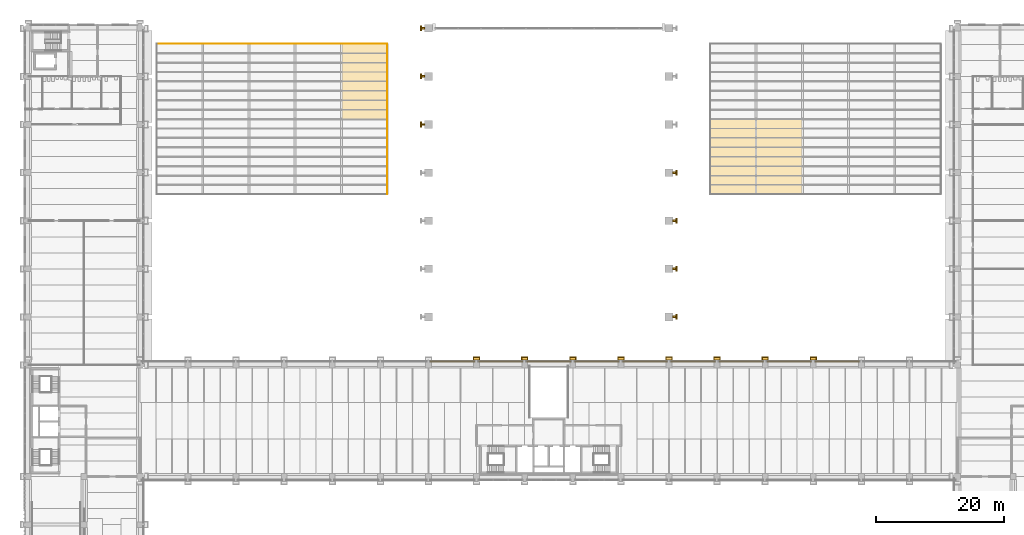
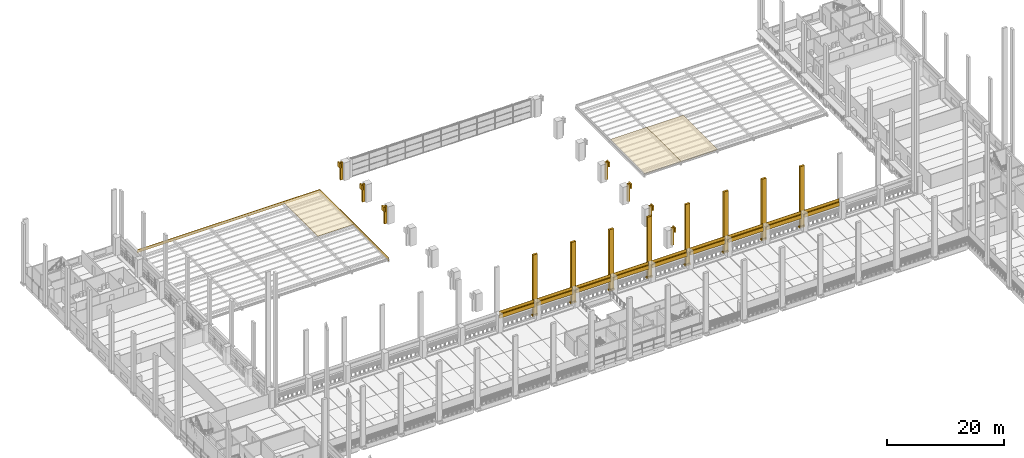
# One storey, part 54 of 67: 52 coverings, 2 elements without a shape of their own.
"""IFC4 building model written with IfcOpenShell, lengths in metres."""

from ifc_helpers import new_model, si_unit, direction, frame, origin, place, context, subcontext, project, spatial, polyline, outline, extrude, material, layer, layer_set, type_object, element, aggregate, save


model = new_model("IFC4")

# Units and contexts
model_context = context("Model", 3, precision=1e-05, world=origin(), true_north=direction((0.0, 1.0)))
body_context = subcontext(model_context, "Body", "Model", "MODEL_VIEW")
ifc_project = project(units=[si_unit("LENGTHUNIT", "METRE"), si_unit("AREAUNIT", "SQUARE_METRE"), si_unit("VOLUMEUNIT", "CUBIC_METRE"), si_unit("PLANEANGLEUNIT", "RADIAN"), si_unit("MASSUNIT", "GRAM", prefix="KILO")], contexts=[model_context])

# Site, building, storey
site_placement = place(None, origin())
site = spatial("IfcSite", under=ifc_project, at=site_placement, CompositionType="ELEMENT")
building_placement = place(site_placement, origin())
building = spatial("IfcBuilding", under=site, at=building_placement, Name="Cour d'Honneur Mobility Palace", CompositionType="ELEMENT")
storey_placement = place(building_placement, frame((0.0, 0.0, 4.5)))
storey = spatial("IfcBuildingStorey", under=building, at=storey_placement, Name="L01", CompositionType="ELEMENT", Elevation=4.5)

# Roof, coverings
ifc_material_1 = material(Name="Zinc standing seam")
ifc_layer_1 = layer(ifc_material_1, 0.050048828125)
ifc_layer_set_1 = layer_set([ifc_layer_1], Name="Zinc standing seam")
roof_type = type_object("IfcRoofType", Name="Forecourt canopy", PredefinedType="FLAT_ROOF", material=ifc_layer_set_1)
roof_1_placement = place(storey_placement, origin())
roof_1 = element("IfcRoof", 1, at=roof_1_placement, inside=storey, type_object=roof_type, Name="Forecourt canopy roof W", PredefinedType="FLAT_ROOF")
ifc_material_2 = material(Name="Cast limestone", Category="masonry")
ifc_layer_2 = layer(ifc_material_2, 0.0400390625)
ifc_layer_set_2 = layer_set([ifc_layer_2], Name="Cast limestone")
covering_type_1 = type_object("IfcCoveringType", Name="Canopy fascia", PredefinedType="CLADDING", material=ifc_layer_set_2)
covering_1_placement = place(storey_placement, frame((56.0, 89.0, 0.800048828125), z_axis=(1.0, 0.0, 0.0), x_axis=(0.0, 1.0, 0.0)))
covering_1 = element("IfcCovering", 2, at=covering_1_placement, type_object=covering_type_1, Name="Canopy fascia FCF-W2", PredefinedType="CLADDING", context=body_context, shape_type="SweptSolid", body=[
    extrude(outline(polyline([(0.0, 0.0), (23.5, 0.0), (23.5, 0.64990234375), (0.0, 0.64990234375), (0.0, 0.0)])), origin(), (0.0, 0.0, -1.0), 0.0400390625),
])
covering_2_placement = place(storey_placement, frame((56.0, 112.5, 0.800048828125), z_axis=(0.0, 1.0, 0.0), x_axis=(-1.0, 0.0, 0.0)))
covering_2 = element("IfcCovering", 3, at=covering_2_placement, type_object=covering_type_1, Name="Canopy fascia FCF-W3", PredefinedType="CLADDING", context=body_context, shape_type="SweptSolid", body=[
    extrude(outline(polyline([(0.0, 0.0), (36.0, 0.0), (36.0, 0.64990234375), (0.0, 0.64990234375), (0.0, 0.0)])), origin(), (0.0, 0.0, -1.0), 0.0400390625),
])
ifc_material_3 = material(Name="Zinc standing seam")
ifc_layer_3 = layer(ifc_material_3, 0.050048828125)
ifc_layer_set_3 = layer_set([ifc_layer_3], Name="Zinc standing seam")
covering_type_2 = type_object("IfcCoveringType", Name="Canopy roof panel", PredefinedType="ROOFING", material=ifc_layer_set_3)
covering_3_placement = place(storey_placement, frame((48.800048828125, 100.75, 1.300048828125), z_axis=(0.0, 0.0, 1.0), x_axis=(1.0, 0.0, 0.0)))
covering_3 = element("IfcCovering", 4, at=covering_3_placement, type_object=covering_type_2, Name="Canopy roof panel FCS-W10", PredefinedType="ROOFING", context=body_context, shape_type="SweptSolid", body=[
    extrude(outline(polyline([(0.0, 0.0), (7.199951171875, 0.0), (7.199951171875, 11.75), (0.0, 11.75), (0.0, 0.0)])), origin(), (0.0, 0.0, -1.0), 0.050048828125),
])
aggregate(roof_1, [covering_3, covering_1, covering_2])

roof_2_placement = place(storey_placement, origin())
roof_2 = element("IfcRoof", 5, at=roof_2_placement, inside=storey, type_object=roof_type, Name="Forecourt canopy roof E", PredefinedType="FLAT_ROOF")
covering_4_placement = place(storey_placement, frame((106.300048828125, 89.0, 1.300048828125), z_axis=(0.0, 0.0, 1.0), x_axis=(1.0, 0.0, 0.0)))
covering_4 = element("IfcCovering", 6, at=covering_4_placement, type_object=covering_type_2, Name="Canopy roof panel FCS-E1", PredefinedType="ROOFING", context=body_context, shape_type="SweptSolid", body=[
    extrude(outline(polyline([(0.0, 0.0), (7.199951171875, 0.0), (7.199951171875, 11.75), (0.0, 11.75), (0.0, 0.0)])), origin(), (0.0, 0.0, -1.0), 0.050048828125),
])
covering_5_placement = place(storey_placement, frame((113.5, 89.0, 1.300048828125), z_axis=(0.0, 0.0, 1.0), x_axis=(1.0, 0.0, 0.0)))
covering_5 = element("IfcCovering", 7, at=covering_5_placement, type_object=covering_type_2, Name="Canopy roof panel FCS-E3", PredefinedType="ROOFING", context=body_context, shape_type="SweptSolid", body=[
    extrude(outline(polyline([(0.0, 0.0), (7.199951171875, 0.0), (7.199951171875, 11.75), (0.0, 11.75), (0.0, 0.0)])), origin(), (0.0, 0.0, -1.0), 0.050048828125),
])
aggregate(roof_2, [covering_4, covering_5])

# Coverings
ifc_material_4 = material(Name="Cast limestone", Category="masonry")
ifc_layer_4 = layer(ifc_material_4, 0.300048828125)
ifc_layer_set_4 = layer_set([ifc_layer_4], Name="Cast limestone")
covering_type_3 = type_object("IfcCoveringType", Name="Pier fin", PredefinedType="CLADDING", material=ifc_layer_set_4)
covering_6_placement = place(storey_placement, origin())
element("IfcCovering", 8, at=covering_6_placement, inside=storey, type_object=covering_type_3, Name="Pier fin HP-E2 L01", PredefinedType="CLADDING", context=body_context, shape_type="SweptSolid", body=[
    extrude(outline(polyline([(100.5, 69.75), (100.949951171875, 69.75), (100.949951171875, 70.050048828125), (100.5, 70.050048828125), (100.5, 69.75)])), origin(), (0.0, 0.0, 1.0), 3.699951171875),
])
covering_7_placement = place(storey_placement, origin())
element("IfcCovering", 9, at=covering_7_placement, inside=storey, type_object=covering_type_3, Name="Pier fin HP-E3 L01", PredefinedType="CLADDING", context=body_context, shape_type="SweptSolid", body=[
    extrude(outline(polyline([(100.5, 77.25), (100.949951171875, 77.25), (100.949951171875, 77.550048828125), (100.5, 77.550048828125), (100.5, 77.25)])), origin(), (0.0, 0.0, 1.0), 3.699951171875),
])
covering_8_placement = place(storey_placement, origin())
element("IfcCovering", 10, at=covering_8_placement, inside=storey, type_object=covering_type_3, Name="Pier fin HP-E4 L01", PredefinedType="CLADDING", context=body_context, shape_type="SweptSolid", body=[
    extrude(outline(polyline([(100.5, 84.75), (100.949951171875, 84.75), (100.949951171875, 85.050048828125), (100.5, 85.050048828125), (100.5, 84.75)])), origin(), (0.0, 0.0, 1.0), 3.699951171875),
])
covering_9_placement = place(storey_placement, origin())
element("IfcCovering", 11, at=covering_9_placement, inside=storey, type_object=covering_type_3, Name="Pier fin HP-E5 L01", PredefinedType="CLADDING", context=body_context, shape_type="SweptSolid", body=[
    extrude(outline(polyline([(100.5, 92.25), (100.949951171875, 92.25), (100.949951171875, 92.550048828125), (100.5, 92.550048828125), (100.5, 92.25)])), origin(), (0.0, 0.0, 1.0), 3.699951171875),
])
covering_10_placement = place(storey_placement, origin())
element("IfcCovering", 12, at=covering_10_placement, inside=storey, type_object=covering_type_3, Name="Pier fin HP-W6 L01", PredefinedType="CLADDING", context=body_context, shape_type="SweptSolid", body=[
    extrude(outline(polyline([(61.35009765625, 99.75), (61.800048828125, 99.75), (61.800048828125, 100.050048828125), (61.35009765625, 100.050048828125), (61.35009765625, 99.75)])), origin(), (0.0, 0.0, 1.0), 3.699951171875),
])
covering_11_placement = place(storey_placement, origin())
element("IfcCovering", 13, at=covering_11_placement, inside=storey, type_object=covering_type_3, Name="Pier fin HP-W7 L01", PredefinedType="CLADDING", context=body_context, shape_type="SweptSolid", body=[
    extrude(outline(polyline([(61.35009765625, 107.25), (61.800048828125, 107.25), (61.800048828125, 107.550048828125), (61.35009765625, 107.550048828125), (61.35009765625, 107.25)])), origin(), (0.0, 0.0, 1.0), 3.699951171875),
])
covering_12_placement = place(storey_placement, origin())
element("IfcCovering", 14, at=covering_12_placement, inside=storey, type_object=covering_type_3, Name="Pier fin HP-W8 L01", PredefinedType="CLADDING", context=body_context, shape_type="SweptSolid", body=[
    extrude(outline(polyline([(61.35009765625, 114.75), (61.800048828125, 114.75), (61.800048828125, 115.050048828125), (61.35009765625, 115.050048828125), (61.35009765625, 114.75)])), origin(), (0.0, 0.0, 1.0), 3.699951171875),
])
ifc_material_5 = material(Name="Cast limestone", Category="masonry")
ifc_layer_5 = layer(ifc_material_5, 0.14990234375)
ifc_layer_set_5 = layer_set([ifc_layer_5], Name="Cast limestone")
covering_type_4 = type_object("IfcCoveringType", Name="Pilaster base", PredefinedType="CLADDING", material=ifc_layer_set_5)
covering_13_placement = place(storey_placement, frame((0.0, 0.0, 0.10009765625)))
element("IfcCovering", 15, at=covering_13_placement, inside=storey, type_object=covering_type_4, Name="Pilaster base PB-129", PredefinedType="CLADDING", context=body_context, shape_type="SweptSolid", body=[
    extrude(outline(polyline([(122.949951171875, 63.14990234375), (121.85009765625, 63.14990234375), (121.85009765625, 63.699951171875), (122.949951171875, 63.699951171875), (122.949951171875, 63.14990234375)])), origin(), (0.0, 0.0, 1.0), 0.2998046875),
])
covering_14_placement = place(storey_placement, frame((0.0, 0.0, 0.39990234375)))
element("IfcCovering", 16, at=covering_14_placement, inside=storey, type_object=covering_type_4, Name="Pilaster base PB-130", PredefinedType="CLADDING", context=body_context, shape_type="SweptSolid", body=[
    extrude(outline(polyline([(122.89990234375, 63.14990234375), (121.89990234375, 63.14990234375), (121.89990234375, 63.6201171875), (122.89990234375, 63.6201171875), (122.89990234375, 63.14990234375)])), origin(), (0.0, 0.0, 1.0), 0.150146484375),
])
covering_15_placement = place(storey_placement, frame((0.0, 0.0, 0.10009765625)))
element("IfcCovering", 17, at=covering_15_placement, inside=storey, type_object=covering_type_4, Name="Pilaster base PB-131", PredefinedType="CLADDING", context=body_context, shape_type="SweptSolid", body=[
    extrude(outline(polyline([(115.449951171875, 63.14990234375), (114.35009765625, 63.14990234375), (114.35009765625, 63.699951171875), (115.449951171875, 63.699951171875), (115.449951171875, 63.14990234375)])), origin(), (0.0, 0.0, 1.0), 0.2998046875),
])
covering_16_placement = place(storey_placement, frame((0.0, 0.0, 0.39990234375)))
element("IfcCovering", 18, at=covering_16_placement, inside=storey, type_object=covering_type_4, Name="Pilaster base PB-132", PredefinedType="CLADDING", context=body_context, shape_type="SweptSolid", body=[
    extrude(outline(polyline([(115.39990234375, 63.14990234375), (114.39990234375, 63.14990234375), (114.39990234375, 63.6201171875), (115.39990234375, 63.6201171875), (115.39990234375, 63.14990234375)])), origin(), (0.0, 0.0, 1.0), 0.150146484375),
])
covering_17_placement = place(storey_placement, frame((0.0, 0.0, 0.10009765625)))
element("IfcCovering", 19, at=covering_17_placement, inside=storey, type_object=covering_type_4, Name="Pilaster base PB-133", PredefinedType="CLADDING", context=body_context, shape_type="SweptSolid", body=[
    extrude(outline(polyline([(107.949951171875, 63.14990234375), (106.85009765625, 63.14990234375), (106.85009765625, 63.699951171875), (107.949951171875, 63.699951171875), (107.949951171875, 63.14990234375)])), origin(), (0.0, 0.0, 1.0), 0.2998046875),
])
covering_18_placement = place(storey_placement, frame((0.0, 0.0, 0.39990234375)))
element("IfcCovering", 20, at=covering_18_placement, inside=storey, type_object=covering_type_4, Name="Pilaster base PB-134", PredefinedType="CLADDING", context=body_context, shape_type="SweptSolid", body=[
    extrude(outline(polyline([(107.89990234375, 63.14990234375), (106.89990234375, 63.14990234375), (106.89990234375, 63.6201171875), (107.89990234375, 63.6201171875), (107.89990234375, 63.14990234375)])), origin(), (0.0, 0.0, 1.0), 0.150146484375),
])
covering_19_placement = place(storey_placement, frame((0.0, 0.0, 0.10009765625)))
element("IfcCovering", 21, at=covering_19_placement, inside=storey, type_object=covering_type_4, Name="Pilaster base PB-135", PredefinedType="CLADDING", context=body_context, shape_type="SweptSolid", body=[
    extrude(outline(polyline([(100.449951171875, 63.14990234375), (99.35009765625, 63.14990234375), (99.35009765625, 63.699951171875), (100.449951171875, 63.699951171875), (100.449951171875, 63.14990234375)])), origin(), (0.0, 0.0, 1.0), 0.2998046875),
])
covering_20_placement = place(storey_placement, frame((0.0, 0.0, 0.39990234375)))
element("IfcCovering", 22, at=covering_20_placement, inside=storey, type_object=covering_type_4, Name="Pilaster base PB-136", PredefinedType="CLADDING", context=body_context, shape_type="SweptSolid", body=[
    extrude(outline(polyline([(100.39990234375, 63.14990234375), (99.39990234375, 63.14990234375), (99.39990234375, 63.6201171875), (100.39990234375, 63.6201171875), (100.39990234375, 63.14990234375)])), origin(), (0.0, 0.0, 1.0), 0.150146484375),
])
covering_21_placement = place(storey_placement, frame((0.0, 0.0, 0.10009765625)))
element("IfcCovering", 23, at=covering_21_placement, inside=storey, type_object=covering_type_4, Name="Pilaster base PB-137", PredefinedType="CLADDING", context=body_context, shape_type="SweptSolid", body=[
    extrude(outline(polyline([(92.949951171875, 63.14990234375), (91.85009765625, 63.14990234375), (91.85009765625, 63.699951171875), (92.949951171875, 63.699951171875), (92.949951171875, 63.14990234375)])), origin(), (0.0, 0.0, 1.0), 0.2998046875),
])
covering_22_placement = place(storey_placement, frame((0.0, 0.0, 0.39990234375)))
element("IfcCovering", 24, at=covering_22_placement, inside=storey, type_object=covering_type_4, Name="Pilaster base PB-138", PredefinedType="CLADDING", context=body_context, shape_type="SweptSolid", body=[
    extrude(outline(polyline([(92.89990234375, 63.14990234375), (91.89990234375, 63.14990234375), (91.89990234375, 63.6201171875), (92.89990234375, 63.6201171875), (92.89990234375, 63.14990234375)])), origin(), (0.0, 0.0, 1.0), 0.150146484375),
])
covering_23_placement = place(storey_placement, frame((0.0, 0.0, 0.10009765625)))
element("IfcCovering", 25, at=covering_23_placement, inside=storey, type_object=covering_type_4, Name="Pilaster base PB-139", PredefinedType="CLADDING", context=body_context, shape_type="SweptSolid", body=[
    extrude(outline(polyline([(85.449951171875, 63.14990234375), (84.35009765625, 63.14990234375), (84.35009765625, 63.699951171875), (85.449951171875, 63.699951171875), (85.449951171875, 63.14990234375)])), origin(), (0.0, 0.0, 1.0), 0.2998046875),
])
covering_24_placement = place(storey_placement, frame((0.0, 0.0, 0.39990234375)))
element("IfcCovering", 26, at=covering_24_placement, inside=storey, type_object=covering_type_4, Name="Pilaster base PB-140", PredefinedType="CLADDING", context=body_context, shape_type="SweptSolid", body=[
    extrude(outline(polyline([(85.39990234375, 63.14990234375), (84.39990234375, 63.14990234375), (84.39990234375, 63.6201171875), (85.39990234375, 63.6201171875), (85.39990234375, 63.14990234375)])), origin(), (0.0, 0.0, 1.0), 0.150146484375),
])
covering_25_placement = place(storey_placement, frame((0.0, 0.0, 0.10009765625)))
element("IfcCovering", 27, at=covering_25_placement, inside=storey, type_object=covering_type_4, Name="Pilaster base PB-141", PredefinedType="CLADDING", context=body_context, shape_type="SweptSolid", body=[
    extrude(outline(polyline([(77.949951171875, 63.14990234375), (76.85009765625, 63.14990234375), (76.85009765625, 63.699951171875), (77.949951171875, 63.699951171875), (77.949951171875, 63.14990234375)])), origin(), (0.0, 0.0, 1.0), 0.2998046875),
])
covering_26_placement = place(storey_placement, frame((0.0, 0.0, 0.39990234375)))
element("IfcCovering", 28, at=covering_26_placement, inside=storey, type_object=covering_type_4, Name="Pilaster base PB-142", PredefinedType="CLADDING", context=body_context, shape_type="SweptSolid", body=[
    extrude(outline(polyline([(77.89990234375, 63.14990234375), (76.89990234375, 63.14990234375), (76.89990234375, 63.6201171875), (77.89990234375, 63.6201171875), (77.89990234375, 63.14990234375)])), origin(), (0.0, 0.0, 1.0), 0.150146484375),
])
covering_27_placement = place(storey_placement, frame((0.0, 0.0, 0.10009765625)))
element("IfcCovering", 29, at=covering_27_placement, inside=storey, type_object=covering_type_4, Name="Pilaster base PB-143", PredefinedType="CLADDING", context=body_context, shape_type="SweptSolid", body=[
    extrude(outline(polyline([(70.449951171875, 63.14990234375), (69.35009765625, 63.14990234375), (69.35009765625, 63.699951171875), (70.449951171875, 63.699951171875), (70.449951171875, 63.14990234375)])), origin(), (0.0, 0.0, 1.0), 0.2998046875),
])
covering_28_placement = place(storey_placement, frame((0.0, 0.0, 0.39990234375)))
element("IfcCovering", 30, at=covering_28_placement, inside=storey, type_object=covering_type_4, Name="Pilaster base PB-144", PredefinedType="CLADDING", context=body_context, shape_type="SweptSolid", body=[
    extrude(outline(polyline([(70.39990234375, 63.14990234375), (69.39990234375, 63.14990234375), (69.39990234375, 63.6201171875), (70.39990234375, 63.6201171875), (70.39990234375, 63.14990234375)])), origin(), (0.0, 0.0, 1.0), 0.150146484375),
])
ifc_material_6 = material(Name="Cast limestone", Category="masonry")
ifc_layer_6 = layer(ifc_material_6, 0.1201171875)
ifc_layer_set_6 = layer_set([ifc_layer_6], Name="Cast limestone")
covering_type_5 = type_object("IfcCoveringType", Name="Pilaster capital", PredefinedType="CLADDING", material=ifc_layer_set_6)
covering_29_placement = place(storey_placement, frame((0.0, 0.0, 2.699951171875)))
element("IfcCovering", 31, at=covering_29_placement, inside=storey, type_object=covering_type_5, Name="Hall pilaster capital HP-E2", PredefinedType="CLADDING", context=body_context, shape_type="SweptSolid", body=[
    extrude(outline(polyline([(100.949951171875, 69.5), (101.199951171875, 69.5), (101.199951171875, 70.300048828125), (100.949951171875, 70.300048828125), (100.949951171875, 69.5)])), origin(), (0.0, 0.0, 1.0), 1.0),
])
covering_30_placement = place(storey_placement, frame((0.0, 0.0, 2.699951171875)))
element("IfcCovering", 32, at=covering_30_placement, inside=storey, type_object=covering_type_5, Name="Hall pilaster capital HP-E3", PredefinedType="CLADDING", context=body_context, shape_type="SweptSolid", body=[
    extrude(outline(polyline([(100.949951171875, 77.0), (101.199951171875, 77.0), (101.199951171875, 77.800048828125), (100.949951171875, 77.800048828125), (100.949951171875, 77.0)])), origin(), (0.0, 0.0, 1.0), 1.0),
])
covering_31_placement = place(storey_placement, frame((0.0, 0.0, 2.699951171875)))
element("IfcCovering", 33, at=covering_31_placement, inside=storey, type_object=covering_type_5, Name="Hall pilaster capital HP-E4", PredefinedType="CLADDING", context=body_context, shape_type="SweptSolid", body=[
    extrude(outline(polyline([(100.949951171875, 84.5), (101.199951171875, 84.5), (101.199951171875, 85.300048828125), (100.949951171875, 85.300048828125), (100.949951171875, 84.5)])), origin(), (0.0, 0.0, 1.0), 1.0),
])
covering_32_placement = place(storey_placement, frame((0.0, 0.0, 2.699951171875)))
element("IfcCovering", 34, at=covering_32_placement, inside=storey, type_object=covering_type_5, Name="Hall pilaster capital HP-E5", PredefinedType="CLADDING", context=body_context, shape_type="SweptSolid", body=[
    extrude(outline(polyline([(100.949951171875, 92.0), (101.199951171875, 92.0), (101.199951171875, 92.800048828125), (100.949951171875, 92.800048828125), (100.949951171875, 92.0)])), origin(), (0.0, 0.0, 1.0), 1.0),
])
covering_33_placement = place(storey_placement, frame((0.0, 0.0, 2.699951171875)))
element("IfcCovering", 35, at=covering_33_placement, inside=storey, type_object=covering_type_5, Name="Hall pilaster capital HP-W6", PredefinedType="CLADDING", context=body_context, shape_type="SweptSolid", body=[
    extrude(outline(polyline([(61.10009765625, 99.5), (61.35009765625, 99.5), (61.35009765625, 100.300048828125), (61.10009765625, 100.300048828125), (61.10009765625, 99.5)])), origin(), (0.0, 0.0, 1.0), 1.0),
])
covering_34_placement = place(storey_placement, frame((0.0, 0.0, 2.699951171875)))
element("IfcCovering", 36, at=covering_34_placement, inside=storey, type_object=covering_type_5, Name="Hall pilaster capital HP-W7", PredefinedType="CLADDING", context=body_context, shape_type="SweptSolid", body=[
    extrude(outline(polyline([(61.10009765625, 107.0), (61.35009765625, 107.0), (61.35009765625, 107.800048828125), (61.10009765625, 107.800048828125), (61.10009765625, 107.0)])), origin(), (0.0, 0.0, 1.0), 1.0),
])
covering_35_placement = place(storey_placement, frame((0.0, 0.0, 2.699951171875)))
element("IfcCovering", 37, at=covering_35_placement, inside=storey, type_object=covering_type_5, Name="Hall pilaster capital HP-W8", PredefinedType="CLADDING", context=body_context, shape_type="SweptSolid", body=[
    extrude(outline(polyline([(61.10009765625, 114.5), (61.35009765625, 114.5), (61.35009765625, 115.300048828125), (61.10009765625, 115.300048828125), (61.10009765625, 114.5)])), origin(), (0.0, 0.0, 1.0), 1.0),
])
ifc_material_7 = material(Name="Cast limestone", Category="masonry")
ifc_layer_7 = layer(ifc_material_7, 0.39990234375)
ifc_layer_set_7 = layer_set([ifc_layer_7], Name="Cast limestone")
covering_type_6 = type_object("IfcCoveringType", Name="Pilaster shaft", PredefinedType="CLADDING", material=ifc_layer_set_7)
covering_36_placement = place(storey_placement, frame((0.0, 0.0, 0.550048828125)))
element("IfcCovering", 38, at=covering_36_placement, inside=storey, type_object=covering_type_6, Name="Pilaster shaft PS-65", PredefinedType="CLADDING", context=body_context, shape_type="SweptSolid", body=[
    extrude(outline(polyline([(122.85009765625, 63.14990234375), (121.949951171875, 63.14990234375), (121.949951171875, 63.550048828125), (122.85009765625, 63.550048828125), (122.85009765625, 63.14990234375)])), origin(), (0.0, 0.0, 1.0), 12.349853515625),
])
covering_37_placement = place(storey_placement, frame((0.0, 0.0, 0.550048828125)))
element("IfcCovering", 39, at=covering_37_placement, inside=storey, type_object=covering_type_6, Name="Pilaster shaft PS-66", PredefinedType="CLADDING", context=body_context, shape_type="SweptSolid", body=[
    extrude(outline(polyline([(115.35009765625, 63.14990234375), (114.449951171875, 63.14990234375), (114.449951171875, 63.550048828125), (115.35009765625, 63.550048828125), (115.35009765625, 63.14990234375)])), origin(), (0.0, 0.0, 1.0), 12.349853515625),
])
covering_38_placement = place(storey_placement, frame((0.0, 0.0, 0.550048828125)))
element("IfcCovering", 40, at=covering_38_placement, inside=storey, type_object=covering_type_6, Name="Pilaster shaft PS-67", PredefinedType="CLADDING", context=body_context, shape_type="SweptSolid", body=[
    extrude(outline(polyline([(107.85009765625, 63.14990234375), (106.949951171875, 63.14990234375), (106.949951171875, 63.550048828125), (107.85009765625, 63.550048828125), (107.85009765625, 63.14990234375)])), origin(), (0.0, 0.0, 1.0), 12.349853515625),
])
covering_39_placement = place(storey_placement, frame((0.0, 0.0, 0.550048828125)))
element("IfcCovering", 41, at=covering_39_placement, inside=storey, type_object=covering_type_6, Name="Pilaster shaft PS-68", PredefinedType="CLADDING", context=body_context, shape_type="SweptSolid", body=[
    extrude(outline(polyline([(100.35009765625, 63.14990234375), (99.449951171875, 63.14990234375), (99.449951171875, 63.550048828125), (100.35009765625, 63.550048828125), (100.35009765625, 63.14990234375)])), origin(), (0.0, 0.0, 1.0), 12.349853515625),
])
covering_40_placement = place(storey_placement, frame((0.0, 0.0, 0.550048828125)))
element("IfcCovering", 42, at=covering_40_placement, inside=storey, type_object=covering_type_6, Name="Pilaster shaft PS-69", PredefinedType="CLADDING", context=body_context, shape_type="SweptSolid", body=[
    extrude(outline(polyline([(92.85009765625, 63.14990234375), (91.949951171875, 63.14990234375), (91.949951171875, 63.550048828125), (92.85009765625, 63.550048828125), (92.85009765625, 63.14990234375)])), origin(), (0.0, 0.0, 1.0), 12.349853515625),
])
covering_41_placement = place(storey_placement, frame((0.0, 0.0, 0.550048828125)))
element("IfcCovering", 43, at=covering_41_placement, inside=storey, type_object=covering_type_6, Name="Pilaster shaft PS-70", PredefinedType="CLADDING", context=body_context, shape_type="SweptSolid", body=[
    extrude(outline(polyline([(85.35009765625, 63.14990234375), (84.449951171875, 63.14990234375), (84.449951171875, 63.550048828125), (85.35009765625, 63.550048828125), (85.35009765625, 63.14990234375)])), origin(), (0.0, 0.0, 1.0), 12.349853515625),
])
covering_42_placement = place(storey_placement, frame((0.0, 0.0, 0.550048828125)))
element("IfcCovering", 44, at=covering_42_placement, inside=storey, type_object=covering_type_6, Name="Pilaster shaft PS-71", PredefinedType="CLADDING", context=body_context, shape_type="SweptSolid", body=[
    extrude(outline(polyline([(77.85009765625, 63.14990234375), (76.949951171875, 63.14990234375), (76.949951171875, 63.550048828125), (77.85009765625, 63.550048828125), (77.85009765625, 63.14990234375)])), origin(), (0.0, 0.0, 1.0), 12.349853515625),
])
covering_43_placement = place(storey_placement, frame((0.0, 0.0, 0.550048828125)))
element("IfcCovering", 45, at=covering_43_placement, inside=storey, type_object=covering_type_6, Name="Pilaster shaft PS-72", PredefinedType="CLADDING", context=body_context, shape_type="SweptSolid", body=[
    extrude(outline(polyline([(70.35009765625, 63.14990234375), (69.449951171875, 63.14990234375), (69.449951171875, 63.550048828125), (70.35009765625, 63.550048828125), (70.35009765625, 63.14990234375)])), origin(), (0.0, 0.0, 1.0), 12.349853515625),
])
ifc_material_8 = material(Name="Cast limestone", Category="masonry")
ifc_layer_8 = layer(ifc_material_8, 0.25)
ifc_layer_set_8 = layer_set([ifc_layer_8], Name="Cast limestone")
covering_type_7 = type_object("IfcCoveringType", Name="Spandrel cladding", PredefinedType="CLADDING", material=ifc_layer_set_8)
for number, where, z_axis, x_axis, name in (
    (46, (129.60009765625, 62.85009765625, 2.300048828125), (1.0, 0.0, 0.0), (0.0, 1.0, 0.0), "Spandrel cladding SK-109"),
    (47, (122.10009765625, 62.85009765625, 2.300048828125), (1.0, 0.0, 0.0), (0.0, 1.0, 0.0), "Spandrel cladding SK-110"),
    (48, (114.60009765625, 62.85009765625, 2.300048828125), (1.0, 0.0, 0.0), (0.0, 1.0, 0.0), "Spandrel cladding SK-111"),
    (49, (107.10009765625, 62.85009765625, 2.300048828125), (1.0, 0.0, 0.0), (0.0, 1.0, 0.0), "Spandrel cladding SK-112"),
    (50, (99.60009765625, 62.85009765625, 2.300048828125), (1.0, 0.0, 0.0), (0.0, 1.0, 0.0), "Spandrel cladding SK-113"),
    (51, (92.10009765625, 62.85009765625, 2.300048828125), (1.0, 0.0, 0.0), (0.0, 1.0, 0.0), "Spandrel cladding SK-114"),
    (52, (84.60009765625, 62.85009765625, 2.300048828125), (1.0, 0.0, 0.0), (0.0, 1.0, 0.0), "Spandrel cladding SK-115"),
    (53, (77.10009765625, 62.85009765625, 2.300048828125), (1.0, 0.0, 0.0), (0.0, 1.0, 0.0), "Spandrel cladding SK-116"),
    (54, (69.60009765625, 62.85009765625, 2.300048828125), (1.0, 0.0, 0.0), (0.0, 1.0, 0.0), "Spandrel cladding SK-117"),
):
    element("IfcCovering", number, at=place(storey_placement, frame(where, z_axis=z_axis, x_axis=x_axis)), inside=storey, type_object=covering_type_7, Name=name, PredefinedType="CLADDING", context=body_context, shape_type="SweptSolid", body=[
        extrude(outline(polyline([(0.0, 0.0), (0.25, 0.0), (0.25, 1.39990234375), (0.199951171875, 1.39990234375), (0.199951171875, 0.800048828125), (0.0, 0.800048828125), (0.0, 0.0)])), origin(), (0.0, 0.0, -1.0), 6.89990234375),
    ])

save(model, "model.ifc")
